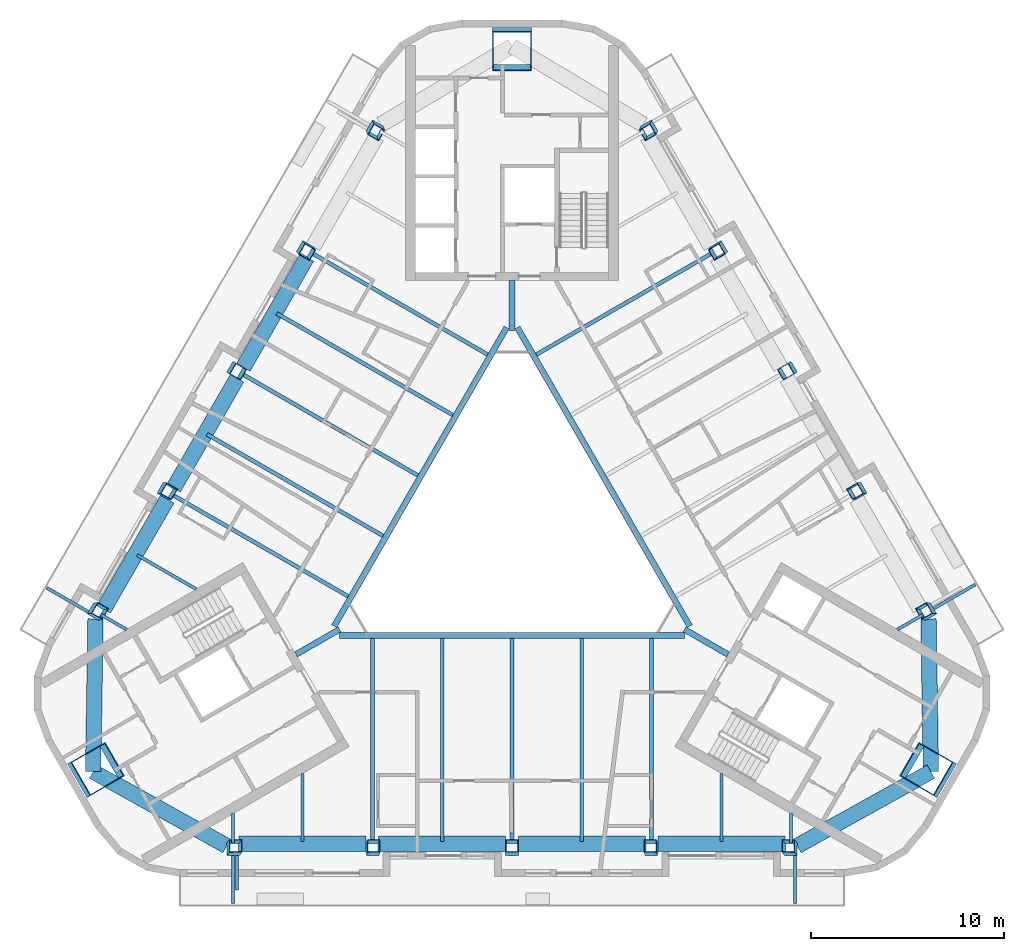
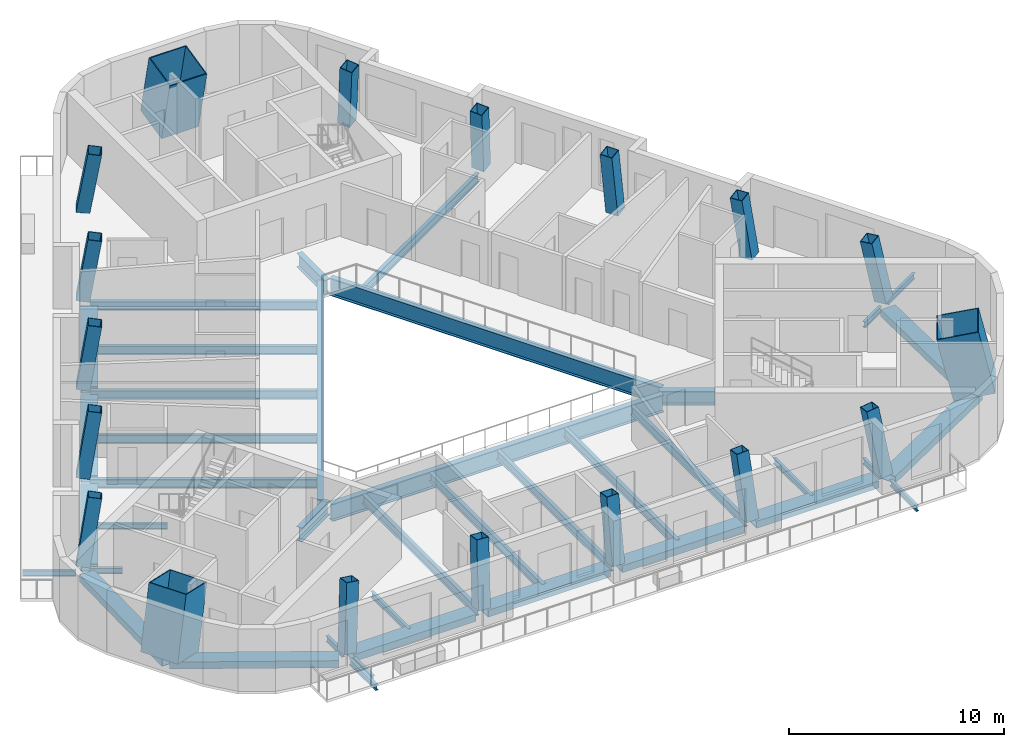
# One storey, part 1 of 13: 40 beams, 18 columns.
"""IFC4 building model written with IfcOpenShell, lengths in metres."""

from ifc_helpers import new_model, si_unit, direction, frame, origin, origin_2d, place, context, subcontext, project, spatial, rectangle, hollow_rectangle, i_section, extrude, boolean, halfspace, material, material_profile, profile_set, type_object, element, save


model = new_model("IFC4")

# Units and contexts
model_context = context("Model", 3, precision=1e-05, world=origin(), true_north=direction((0.0, 1.0)))
body_context = subcontext(model_context, "Body", "Model", "MODEL_VIEW")
ifc_project = project(units=[si_unit("LENGTHUNIT", "METRE"), si_unit("AREAUNIT", "SQUARE_METRE"), si_unit("VOLUMEUNIT", "CUBIC_METRE"), si_unit("PLANEANGLEUNIT", "RADIAN"), si_unit("MASSUNIT", "GRAM", prefix="KILO")], contexts=[model_context])

# Site, building, storey
site_placement = place(None, origin())
site = spatial("IfcSite", under=ifc_project, at=site_placement, CompositionType="ELEMENT")
building_placement = place(site_placement, origin())
building = spatial("IfcBuilding", under=site, at=building_placement, Name="Apuvela Tower Hotel", CompositionType="ELEMENT")
storey_placement = place(building_placement, frame((0.0, 0.0, 287.39990234375)))
storey = spatial("IfcBuildingStorey", under=building, at=storey_placement, Name="L71", CompositionType="ELEMENT", Elevation=287.39990234375)

# Columns
ifc_material_1 = material(Name="Steel S460", Category="steel")
ifc_material_profile_1 = material_profile(ifc_material_1, hollow_rectangle(XDim=2.0, YDim=2.0, WallThickness=0.050048828125, at=origin_2d()), Name="BOX 2000x2000x50")
ifc_material_2 = material(Name="Concrete C80/95", Category="concrete")
ifc_material_profile_2 = material_profile(ifc_material_2, rectangle(XDim=1.89990234375, YDim=1.89990234375, at=origin_2d()), Name="Concrete C80/95 infill")
ifc_profile_set_1 = profile_set([ifc_material_profile_1, ifc_material_profile_2], Name="Steel S460")
column_type_1 = type_object("IfcColumnType", Name="STR-MC mega column BOX 2000x2000x50", PredefinedType="COLUMN", material=ifc_profile_set_1)
for number, where, z_axis, x_axis, name in (
    (1, (0.0, 25.0087890625, 0.0), (0.0, -0.219812384115, 0.97554216505), (1.0, 0.0, 0.0), "Mega column MC4 N"),
    (2, (-21.658203125, -12.50439453125, 0.0), (0.19033286006, 0.109938628672, 0.975544412268), (-0.500170259217, 0.865927082262, 0.0), "Mega column MC4 SW"),
    (3, (21.658203125, -12.50439453125, 0.0), (-0.19033286006, 0.109938628672, 0.975544412268), (0.500170259217, 0.865927082262, 0.0), "Mega column MC4 SE"),
):
    element("IfcColumn", number, at=place(storey_placement, frame(where, z_axis=z_axis, x_axis=x_axis)), inside=storey, type_object=column_type_1, Name=name, PredefinedType="COLUMN", context=body_context, shape_type="SweptSolid", body=[
        boolean("DIFFERENCE", boolean("DIFFERENCE", extrude(hollow_rectangle(XDim=2.0, YDim=2.0, WallThickness=0.050048828125, at=origin_2d()), origin(), (0.0, 0.0, 1.0), 3.79296875), halfspace(frame((0.0, 0.0, 0.11328125), z_axis=(0.0, 0.0, 1.0), x_axis=(1.0, 0.0, 0.0)), True)), halfspace(frame((0.0, 0.0, 3.6796875), z_axis=(0.0, 0.0, 1.0), x_axis=(1.0, 0.0, 0.0)), False)),
    ])
ifc_material_profile_3 = material_profile(ifc_material_1, hollow_rectangle(XDim=0.64990234375, YDim=0.64990234375, WallThickness=0.030029296875, at=origin_2d()), Name="BOX 650x650x30")
ifc_material_profile_4 = material_profile(ifc_material_2, rectangle(XDim=0.590087890625, YDim=0.590087890625, at=origin_2d()), Name="Concrete C80/95 infill")
ifc_profile_set_2 = profile_set([ifc_material_profile_3, ifc_material_profile_4], Name="Steel S460")
column_type_2 = type_object("IfcColumnType", Name="STR-PC perimeter column BOX 650x650x30", PredefinedType="COLUMN", material=ifc_profile_set_2)
column_1_placement = place(storey_placement, frame((-14.4306640625, -16.52880859375, 0.0), z_axis=(0.121062211455, 0.150389046636, 0.981186565139), x_axis=(-0.992602517882, 0.00920416117, 0.121060005413)))
element("IfcColumn", 4, at=column_1_placement, inside=storey, type_object=column_type_2, Name="Perimeter column C6 S1", PredefinedType="COLUMN", context=body_context, shape_type="SweptSolid", body=[
    boolean("DIFFERENCE", boolean("DIFFERENCE", extrude(hollow_rectangle(XDim=0.64990234375, YDim=0.64990234375, WallThickness=0.030029296875, at=origin_2d()), origin(), (0.0, 0.0, 1.0), 3.771240234375), halfspace(frame((0.0, 0.0, 0.046875), z_axis=(0.0, 0.0, 1.0), x_axis=(1.0, 0.0, 0.0)), True)), halfspace(frame((0.0, 0.0, 3.724365234375), z_axis=(0.0, 0.0, 1.0), x_axis=(1.0, 0.0, 0.0)), False)),
])
column_2_placement = place(storey_placement, frame((-7.21533203125, -16.52880859375, 0.0), z_axis=(0.060866554019, 0.151222465225, 0.986624056373), x_axis=(-0.998135530126, 0.004712991743, 0.06085434421)))
element("IfcColumn", 5, at=column_2_placement, inside=storey, type_object=column_type_2, Name="Perimeter column C6 S2", PredefinedType="COLUMN", context=body_context, shape_type="SweptSolid", body=[
    boolean("DIFFERENCE", boolean("DIFFERENCE", extrude(hollow_rectangle(XDim=0.64990234375, YDim=0.64990234375, WallThickness=0.030029296875, at=origin_2d()), origin(), (0.0, 0.0, 1.0), 3.750244140625), halfspace(frame((0.0, 0.0, 0.039794921875), z_axis=(0.0, 0.0, 1.0), x_axis=(1.0, 0.0, 0.0)), True)), halfspace(frame((0.0, 0.0, 3.710693359375), z_axis=(0.0, 0.0, 1.0), x_axis=(1.0, 0.0, 0.0)), False)),
])
column_3_placement = place(storey_placement, frame((0.0, -16.52880859375, 0.0), z_axis=(0.0, 0.151503365725, 0.988456741681), x_axis=(-1.0, 0.0, 0.0)))
element("IfcColumn", 6, at=column_3_placement, inside=storey, type_object=column_type_2, Name="Perimeter column C6 S3", PredefinedType="COLUMN", context=body_context, shape_type="SweptSolid", body=[
    boolean("DIFFERENCE", boolean("DIFFERENCE", extrude(hollow_rectangle(XDim=0.64990234375, YDim=0.64990234375, WallThickness=0.030029296875, at=origin_2d()), origin(), (0.0, 0.0, 1.0), 3.743408203125), halfspace(frame((0.0, 0.0, 0.037109375), z_axis=(0.0, 0.0, 1.0), x_axis=(1.0, 0.0, 0.0)), True)), halfspace(frame((0.0, 0.0, 3.706298828125), z_axis=(0.0, 0.0, 1.0), x_axis=(1.0, 0.0, 0.0)), False)),
])
column_4_placement = place(storey_placement, frame((7.21533203125, -16.52880859375, 0.0), z_axis=(-0.060866554019, 0.151222465225, 0.986624056373), x_axis=(0.998135530126, 0.004712991743, 0.06085434421)))
element("IfcColumn", 7, at=column_4_placement, inside=storey, type_object=column_type_2, Name="Perimeter column C6 S4", PredefinedType="COLUMN", context=body_context, shape_type="SweptSolid", body=[
    boolean("DIFFERENCE", boolean("DIFFERENCE", extrude(hollow_rectangle(XDim=0.64990234375, YDim=0.64990234375, WallThickness=0.030029296875, at=origin_2d()), origin(), (0.0, 0.0, 1.0), 3.750244140625), halfspace(frame((0.0, 0.0, 0.039794921875), z_axis=(0.0, 0.0, 1.0), x_axis=(1.0, 0.0, 0.0)), True)), halfspace(frame((0.0, 0.0, 3.710693359375), z_axis=(0.0, 0.0, 1.0), x_axis=(1.0, 0.0, 0.0)), False)),
])
column_5_placement = place(storey_placement, frame((14.4306640625, -16.52880859375, 0.0), z_axis=(-0.121062211455, 0.150389046636, 0.981186565139), x_axis=(0.992602517882, 0.00920416117, 0.121060005413)))
element("IfcColumn", 8, at=column_5_placement, inside=storey, type_object=column_type_2, Name="Perimeter column C6 S5", PredefinedType="COLUMN", context=body_context, shape_type="SweptSolid", body=[
    boolean("DIFFERENCE", boolean("DIFFERENCE", extrude(hollow_rectangle(XDim=0.64990234375, YDim=0.64990234375, WallThickness=0.030029296875, at=origin_2d()), origin(), (0.0, 0.0, 1.0), 3.771240234375), halfspace(frame((0.0, 0.0, 0.046875), z_axis=(0.0, 0.0, 1.0), x_axis=(1.0, 0.0, 0.0)), True)), halfspace(frame((0.0, 0.0, 3.724365234375), z_axis=(0.0, 0.0, 1.0), x_axis=(1.0, 0.0, 0.0)), False)),
])
column_6_placement = place(storey_placement, frame((21.529541015625, -4.23291015625, 0.0), z_axis=(-0.190723355538, 0.02965081359, 0.981195918716), x_axis=(0.48832184533, -0.864229250401, 0.121035441609)))
element("IfcColumn", 9, at=column_6_placement, inside=storey, type_object=column_type_2, Name="Perimeter column C6 NE1", PredefinedType="COLUMN", context=body_context, shape_type="SweptSolid", body=[
    boolean("DIFFERENCE", boolean("DIFFERENCE", extrude(hollow_rectangle(XDim=0.64990234375, YDim=0.64990234375, WallThickness=0.030029296875, at=origin_2d()), origin(), (0.0, 0.0, 1.0), 3.77099609375), halfspace(frame((0.0, 0.0, 0.046875), z_axis=(0.0, 0.0, 1.0), x_axis=(1.0, 0.0, 0.0)), True)), halfspace(frame((0.0, 0.0, 3.724365234375), z_axis=(0.0, 0.0, 1.0), x_axis=(1.0, 0.0, 0.0)), False)),
])
column_7_placement = place(storey_placement, frame((17.922119140625, 2.015625, 0.0), z_axis=(-0.161441555696, -0.022914285325, 0.986616216987), x_axis=(0.49507293815, -0.866715878813, 0.060879974747)))
element("IfcColumn", 10, at=column_7_placement, inside=storey, type_object=column_type_2, Name="Perimeter column C6 NE2", PredefinedType="COLUMN", context=body_context, shape_type="SweptSolid", body=[
    boolean("DIFFERENCE", boolean("DIFFERENCE", extrude(hollow_rectangle(XDim=0.64990234375, YDim=0.64990234375, WallThickness=0.030029296875, at=origin_2d()), origin(), (0.0, 0.0, 1.0), 3.75048828125), halfspace(frame((0.0, 0.0, 0.039794921875), z_axis=(0.0, 0.0, 1.0), x_axis=(1.0, 0.0, 0.0)), True)), halfspace(frame((0.0, 0.0, 3.710693359375), z_axis=(0.0, 0.0, 1.0), x_axis=(1.0, 0.0, 0.0)), False)),
])
column_8_placement = place(storey_placement, frame((14.314208984375, 8.264404296875, 0.0), z_axis=(-0.13115563542, -0.07578460883, 0.988460870425), x_axis=(-0.500216662803, 0.86590027717, 1.5862574e-05)))
element("IfcColumn", 11, at=column_8_placement, inside=storey, type_object=column_type_2, Name="Perimeter column C6 NE3", PredefinedType="COLUMN", context=body_context, shape_type="SweptSolid", body=[
    boolean("DIFFERENCE", boolean("DIFFERENCE", extrude(hollow_rectangle(XDim=0.64990234375, YDim=0.64990234375, WallThickness=0.030029296875, at=origin_2d()), origin(), (0.0, 0.0, 1.0), 3.743408203125), halfspace(frame((0.0, 0.0, 0.037109375), z_axis=(0.0, 0.0, 1.0), x_axis=(1.0, 0.0, 0.0)), True)), halfspace(frame((0.0, 0.0, 3.706298828125), z_axis=(0.0, 0.0, 1.0), x_axis=(1.0, 0.0, 0.0)), False)),
])
column_9_placement = place(storey_placement, frame((10.70654296875, 14.512939453125, 0.0), z_axis=(-0.100511564979, -0.128308480942, 0.986627771261), x_axis=(-0.503128985572, 0.862066140583, 0.060853867073)))
element("IfcColumn", 12, at=column_9_placement, inside=storey, type_object=column_type_2, Name="Perimeter column C6 NE4", PredefinedType="COLUMN", context=body_context, shape_type="SweptSolid", body=[
    boolean("DIFFERENCE", boolean("DIFFERENCE", extrude(hollow_rectangle(XDim=0.64990234375, YDim=0.64990234375, WallThickness=0.030029296875, at=origin_2d()), origin(), (0.0, 0.0, 1.0), 3.750244140625), halfspace(frame((0.0, 0.0, 0.039794921875), z_axis=(0.0, 0.0, 1.0), x_axis=(1.0, 0.0, 0.0)), True)), halfspace(frame((0.0, 0.0, 3.710693359375), z_axis=(0.0, 0.0, 1.0), x_axis=(1.0, 0.0, 0.0)), False)),
])
for number, where, z_axis, x_axis, name in (
    (13, (7.09912109375, 20.76171875, 0.0), (-0.069724781061, -0.17997668649, 0.981196640448), (-0.504170276758, 0.855083108193, 0.121017395929), "Perimeter column C6 NE5"),
    (14, (-7.09912109375, 20.76171875, 0.0), (0.069724781061, -0.17997668649, 0.981196640448), (0.504170276758, 0.855083108193, 0.121017395929), "Perimeter column C6 NW1"),
):
    element("IfcColumn", number, at=place(storey_placement, frame(where, z_axis=z_axis, x_axis=x_axis)), inside=storey, type_object=column_type_2, Name=name, PredefinedType="COLUMN", context=body_context, shape_type="SweptSolid", body=[
        boolean("DIFFERENCE", boolean("DIFFERENCE", extrude(hollow_rectangle(XDim=0.64990234375, YDim=0.64990234375, WallThickness=0.030029296875, at=origin_2d()), origin(), (0.0, 0.0, 1.0), 3.77099609375), halfspace(frame((0.0, 0.0, 0.046875), z_axis=(0.0, 0.0, 1.0), x_axis=(1.0, 0.0, 0.0)), True)), halfspace(frame((0.0, 0.0, 3.724365234375), z_axis=(0.0, 0.0, 1.0), x_axis=(1.0, 0.0, 0.0)), False)),
    ])
column_10_placement = place(storey_placement, frame((-10.70654296875, 14.512939453125, 0.0), z_axis=(0.100511564979, -0.128308480942, 0.986627771261), x_axis=(0.503128985572, 0.862066140583, 0.060853867073)))
element("IfcColumn", 15, at=column_10_placement, inside=storey, type_object=column_type_2, Name="Perimeter column C6 NW2", PredefinedType="COLUMN", context=body_context, shape_type="SweptSolid", body=[
    boolean("DIFFERENCE", boolean("DIFFERENCE", extrude(hollow_rectangle(XDim=0.64990234375, YDim=0.64990234375, WallThickness=0.030029296875, at=origin_2d()), origin(), (0.0, 0.0, 1.0), 3.750244140625), halfspace(frame((0.0, 0.0, 0.039794921875), z_axis=(0.0, 0.0, 1.0), x_axis=(1.0, 0.0, 0.0)), True)), halfspace(frame((0.0, 0.0, 3.710693359375), z_axis=(0.0, 0.0, 1.0), x_axis=(1.0, 0.0, 0.0)), False)),
])
column_11_placement = place(storey_placement, frame((-14.314208984375, 8.264404296875, 0.0), z_axis=(0.13115563542, -0.07578460883, 0.988460870425), x_axis=(0.500216662803, 0.86590027717, 1.5862574e-05)))
element("IfcColumn", 16, at=column_11_placement, inside=storey, type_object=column_type_2, Name="Perimeter column C6 NW3", PredefinedType="COLUMN", context=body_context, shape_type="SweptSolid", body=[
    boolean("DIFFERENCE", boolean("DIFFERENCE", extrude(hollow_rectangle(XDim=0.64990234375, YDim=0.64990234375, WallThickness=0.030029296875, at=origin_2d()), origin(), (0.0, 0.0, 1.0), 3.743408203125), halfspace(frame((0.0, 0.0, 0.037109375), z_axis=(0.0, 0.0, 1.0), x_axis=(1.0, 0.0, 0.0)), True)), halfspace(frame((0.0, 0.0, 3.706298828125), z_axis=(0.0, 0.0, 1.0), x_axis=(1.0, 0.0, 0.0)), False)),
])
column_12_placement = place(storey_placement, frame((-17.922119140625, 2.015625, 0.0), z_axis=(0.161441555696, -0.022914285325, 0.986616216987), x_axis=(-0.49507293815, -0.866715878813, 0.060879974747)))
element("IfcColumn", 17, at=column_12_placement, inside=storey, type_object=column_type_2, Name="Perimeter column C6 NW4", PredefinedType="COLUMN", context=body_context, shape_type="SweptSolid", body=[
    boolean("DIFFERENCE", boolean("DIFFERENCE", extrude(hollow_rectangle(XDim=0.64990234375, YDim=0.64990234375, WallThickness=0.030029296875, at=origin_2d()), origin(), (0.0, 0.0, 1.0), 3.75048828125), halfspace(frame((0.0, 0.0, 0.039794921875), z_axis=(0.0, 0.0, 1.0), x_axis=(1.0, 0.0, 0.0)), True)), halfspace(frame((0.0, 0.0, 3.710693359375), z_axis=(0.0, 0.0, 1.0), x_axis=(1.0, 0.0, 0.0)), False)),
])
column_13_placement = place(storey_placement, frame((-21.529541015625, -4.23291015625, 0.0), z_axis=(0.190723355538, 0.02965081359, 0.981195918716), x_axis=(-0.48832184533, -0.864229250401, 0.121035441609)))
element("IfcColumn", 18, at=column_13_placement, inside=storey, type_object=column_type_2, Name="Perimeter column C6 NW5", PredefinedType="COLUMN", context=body_context, shape_type="SweptSolid", body=[
    boolean("DIFFERENCE", boolean("DIFFERENCE", extrude(hollow_rectangle(XDim=0.64990234375, YDim=0.64990234375, WallThickness=0.030029296875, at=origin_2d()), origin(), (0.0, 0.0, 1.0), 3.77099609375), halfspace(frame((0.0, 0.0, 0.046875), z_axis=(0.0, 0.0, 1.0), x_axis=(1.0, 0.0, 0.0)), True)), halfspace(frame((0.0, 0.0, 3.724365234375), z_axis=(0.0, 0.0, 1.0), x_axis=(1.0, 0.0, 0.0)), False)),
])

# Beams
ifc_material_3 = material(Name="Steel S355", Category="steel")
ifc_material_profile_5 = material_profile(ifc_material_3, i_section(OverallWidth=0.159912109375, OverallDepth=0.330078125, WebThickness=0.007568359375, FlangeThickness=0.011474609375, at=origin_2d()), Name="IPE 330")
ifc_profile_set_3 = profile_set([ifc_material_profile_5], Name="Steel S355")
beam_type_1 = type_object("IfcBeamType", Name="ENV-BALCONY-BEAM-IPE330", PredefinedType="BEAM", material=ifc_profile_set_3)
beam_1_placement = place(storey_placement, frame((-14.4306640625, -16.853759765625, -0.31494140625), z_axis=(0.0, -1.0, 0.0), x_axis=(1.0, 0.0, 0.0)))
element("IfcBeam", 19, at=beam_1_placement, inside=storey, type_object=beam_type_1, Name="Balcony cantilever beam S1 L71", PredefinedType="BEAM", context=body_context, shape_type="SweptSolid", body=[
    extrude(i_section(OverallWidth=0.159912109375, OverallDepth=0.330078125, WebThickness=0.007568359375, FlangeThickness=0.011474609375, at=origin_2d()), origin(), (0.0, 0.0, 1.0), 2.474853515625),
])
beam_2_placement = place(storey_placement, frame((-14.210693359375, -16.853759765625, -0.31494140625), z_axis=(0.0, -1.0, 0.0), x_axis=(1.0, 0.0, 0.0)))
element("IfcBeam", 20, at=beam_2_placement, inside=storey, type_object=beam_type_1, Name="Balcony cantilever beam S2 L71", PredefinedType="BEAM", context=body_context, shape_type="SweptSolid", body=[
    extrude(i_section(OverallWidth=0.159912109375, OverallDepth=0.330078125, WebThickness=0.007568359375, FlangeThickness=0.011474609375, at=origin_2d()), origin(), (0.0, 0.0, 1.0), 1.77490234375),
])
beam_3_placement = place(storey_placement, frame((14.630615234375, -16.853759765625, -0.31494140625), z_axis=(0.0, -1.0, 0.0), x_axis=(1.0, 0.0, 0.0)))
element("IfcBeam", 21, at=beam_3_placement, inside=storey, type_object=beam_type_1, Name="Balcony cantilever beam S3 L71", PredefinedType="BEAM", context=body_context, shape_type="SweptSolid", body=[
    extrude(i_section(OverallWidth=0.159912109375, OverallDepth=0.330078125, WebThickness=0.007568359375, FlangeThickness=0.011474609375, at=origin_2d()), origin(), (0.0, 0.0, 1.0), 2.474853515625),
])
beam_4_placement = place(storey_placement, frame((21.81103515625, -4.070556640625, -0.31494140625), z_axis=(0.866031185235, 0.4999899861, 0.0), x_axis=(-0.4999899861, 0.866031185235, 0.0)))
element("IfcBeam", 22, at=beam_4_placement, inside=storey, type_object=beam_type_1, Name="Balcony cantilever beam NE1 L71", PredefinedType="BEAM", context=body_context, shape_type="SweptSolid", body=[
    extrude(i_section(OverallWidth=0.159912109375, OverallDepth=0.330078125, WebThickness=0.007568359375, FlangeThickness=0.011474609375, at=origin_2d()), origin(), (0.0, 0.0, 1.0), 2.47509765625),
])
beam_5_placement = place(storey_placement, frame((-21.9111328125, -4.24365234375, -0.31494140625), z_axis=(-0.866006523861, 0.500032699561, 0.0), x_axis=(-0.500032699561, -0.866006523861, 0.0)))
element("IfcBeam", 23, at=beam_5_placement, inside=storey, type_object=beam_type_1, Name="Balcony cantilever beam NW3 L71", PredefinedType="BEAM", context=body_context, shape_type="SweptSolid", body=[
    extrude(i_section(OverallWidth=0.159912109375, OverallDepth=0.330078125, WebThickness=0.007568359375, FlangeThickness=0.011474609375, at=origin_2d()), origin(), (0.0, 0.0, 1.0), 2.474853515625),
])
ifc_material_profile_6 = material_profile(ifc_material_3, i_section(OverallWidth=0.159912109375, OverallDepth=0.330078125, WebThickness=0.007568359375, FlangeThickness=0.011474609375, at=origin_2d()), Name="IPE 330")
ifc_profile_set_4 = profile_set([ifc_material_profile_6], Name="Steel S355")
beam_type_2 = type_object("IfcBeamType", Name="STR-B floor beam IPE 330", PredefinedType="BEAM", material=ifc_profile_set_4)
beam_6_placement = place(storey_placement, frame((21.248291015625, -4.3955078125, -0.31494140625), z_axis=(-0.866092063448, -0.499884524299, 0.0), x_axis=(0.499884524299, -0.866092063448, 0.0)))
element("IfcBeam", 24, at=beam_6_placement, inside=storey, type_object=beam_type_2, Name="Floor beam B1 NE1", PredefinedType="BEAM", context=body_context, shape_type="SweptSolid", body=[
    extrude(i_section(OverallWidth=0.159912109375, OverallDepth=0.330078125, WebThickness=0.007568359375, FlangeThickness=0.011474609375, at=origin_2d()), origin(), (0.0, 0.0, 1.0), 1.521240234375),
])
beam_7_placement = place(storey_placement, frame((-19.37939453125, -1.30859375, -0.31494140625), z_axis=(0.866020851292, -0.500007885066, 0.0), x_axis=(0.500007885066, 0.866020851292, 0.0)))
element("IfcBeam", 25, at=beam_7_placement, inside=storey, type_object=beam_type_2, Name="Floor beam B1 NW8", PredefinedType="BEAM", context=body_context, shape_type="SweptSolid", body=[
    extrude(i_section(OverallWidth=0.159912109375, OverallDepth=0.330078125, WebThickness=0.007568359375, FlangeThickness=0.011474609375, at=origin_2d()), origin(), (0.0, 0.0, 1.0), 3.529296875),
])
for number, where, z_axis, x_axis, name in (
    (26, (-21.248291015625, -4.3955078125, -0.31494140625), (0.866092063448, -0.499884524299, 0.0), (0.499884524299, 0.866092063448, 0.0), "Floor beam B1 NW9"),
    (27, (-14.4306640625, -16.20361328125, -0.31494140625), (0.0, 1.0, 0.0), (-1.0, 0.0, 0.0), "Floor beam B1 S1"),
):
    element("IfcBeam", number, at=place(storey_placement, frame(where, z_axis=z_axis, x_axis=x_axis)), inside=storey, type_object=beam_type_2, Name=name, PredefinedType="BEAM", context=body_context, shape_type="SweptSolid", body=[
        extrude(i_section(OverallWidth=0.159912109375, OverallDepth=0.330078125, WebThickness=0.007568359375, FlangeThickness=0.011474609375, at=origin_2d()), origin(), (0.0, 0.0, 1.0), 1.521240234375),
    ])
for number, where, z_axis, x_axis, name in (
    (28, (-10.822998046875, -16.128662109375, -0.31494140625), (0.0, 1.0, 0.0), (-1.0, 0.0, 0.0), "Floor beam B1 S2"),
    (29, (10.822998046875, -16.128662109375, -0.31494140625), (0.0, 1.0, 0.0), (-1.0, 0.0, 0.0), "Floor beam B1 S8"),
):
    element("IfcBeam", number, at=place(storey_placement, frame(where, z_axis=z_axis, x_axis=x_axis)), inside=storey, type_object=beam_type_2, Name=name, PredefinedType="BEAM", context=body_context, shape_type="SweptSolid", body=[
        extrude(i_section(OverallWidth=0.159912109375, OverallDepth=0.330078125, WebThickness=0.007568359375, FlangeThickness=0.011474609375, at=origin_2d()), origin(), (0.0, 0.0, 1.0), 3.529052734375),
    ])
beam_8_placement = place(storey_placement, frame((14.4306640625, -16.20361328125, -0.31494140625), z_axis=(0.0, 1.0, 0.0), x_axis=(-1.0, 0.0, 0.0)))
element("IfcBeam", 30, at=beam_8_placement, inside=storey, type_object=beam_type_2, Name="Floor beam B1 S9", PredefinedType="BEAM", context=body_context, shape_type="SweptSolid", body=[
    extrude(i_section(OverallWidth=0.159912109375, OverallDepth=0.330078125, WebThickness=0.007568359375, FlangeThickness=0.011474609375, at=origin_2d()), origin(), (0.0, 0.0, 1.0), 1.521240234375),
])
ifc_material_profile_7 = material_profile(ifc_material_3, i_section(OverallWidth=0.199951171875, OverallDepth=0.5, WebThickness=0.01025390625, FlangeThickness=0.01611328125, at=origin_2d()), Name="IPE 500")
ifc_profile_set_5 = profile_set([ifc_material_profile_7], Name="Steel S355")
beam_type_3 = type_object("IfcBeamType", Name="STR-B floor beam IPE 500", PredefinedType="BEAM", material=ifc_profile_set_5)
for number, where, z_axis, x_axis, name in (
    (31, (10.42529296875, 14.3505859375, -0.39990234375), (-0.866020021501, -0.500009322272, 0.0), (0.500009322272, -0.866020021501, 0.0), "Floor beam B3 NE7"),
    (32, (-10.42529296875, 14.3505859375, -0.39990234375), (0.866020021501, -0.500009322272, 0.0), (0.500009322272, 0.866020021501, 0.0), "Floor beam B3 NW3"),
):
    element("IfcBeam", number, at=place(storey_placement, frame(where, z_axis=z_axis, x_axis=x_axis)), inside=storey, type_object=beam_type_3, Name=name, PredefinedType="BEAM", context=body_context, shape_type="SweptSolid", body=[
        extrude(i_section(OverallWidth=0.199951171875, OverallDepth=0.5, WebThickness=0.01025390625, FlangeThickness=0.01611328125, at=origin_2d()), origin(), (0.0, 0.0, 1.0), 10.583740234375),
    ])
beam_9_placement = place(storey_placement, frame((-12.1640625, 11.188720703125, -0.39990234375), z_axis=(0.866024256809, -0.500001986615, 0.0), x_axis=(0.500001986615, 0.866024256809, 0.0)))
element("IfcBeam", 33, at=beam_9_placement, inside=storey, type_object=beam_type_3, Name="Floor beam B3 NW4", PredefinedType="BEAM", context=body_context, shape_type="SweptSolid", body=[
    extrude(i_section(OverallWidth=0.199951171875, OverallDepth=0.5, WebThickness=0.01025390625, FlangeThickness=0.01611328125, at=origin_2d()), origin(), (0.0, 0.0, 1.0), 10.5087890625),
])
beam_10_placement = place(storey_placement, frame((-14.03271484375, 8.101806640625, -0.39990234375), z_axis=(0.866024243143, -0.500002010285, 0.0), x_axis=(0.500002010285, 0.866024243143, 0.0)))
element("IfcBeam", 34, at=beam_10_placement, inside=storey, type_object=beam_type_3, Name="Floor beam B3 NW5", PredefinedType="BEAM", context=body_context, shape_type="SweptSolid", body=[
    extrude(i_section(OverallWidth=0.199951171875, OverallDepth=0.5, WebThickness=0.01025390625, FlangeThickness=0.01611328125, at=origin_2d()), origin(), (0.0, 0.0, 1.0), 10.58349609375),
])
beam_11_placement = place(storey_placement, frame((-15.771728515625, 4.93994140625, -0.39990234375), z_axis=(0.866034316586, -0.499984562257, 0.0), x_axis=(0.499984562257, 0.866034316586, 0.0)))
element("IfcBeam", 35, at=beam_11_placement, inside=storey, type_object=beam_type_3, Name="Floor beam B3 NW6", PredefinedType="BEAM", context=body_context, shape_type="SweptSolid", body=[
    extrude(i_section(OverallWidth=0.199951171875, OverallDepth=0.5, WebThickness=0.01025390625, FlangeThickness=0.01611328125, at=origin_2d()), origin(), (0.0, 0.0, 1.0), 10.508544921875),
])
beam_12_placement = place(storey_placement, frame((-17.640380859375, 1.853271484375, -0.39990234375), z_axis=(0.866020021501, -0.500009322272, 0.0), x_axis=(0.500009322272, 0.866020021501, 0.0)))
element("IfcBeam", 36, at=beam_12_placement, inside=storey, type_object=beam_type_3, Name="Floor beam B3 NW7", PredefinedType="BEAM", context=body_context, shape_type="SweptSolid", body=[
    extrude(i_section(OverallWidth=0.199951171875, OverallDepth=0.5, WebThickness=0.01025390625, FlangeThickness=0.01611328125, at=origin_2d()), origin(), (0.0, 0.0, 1.0), 10.583740234375),
])
beam_13_placement = place(storey_placement, frame((-7.21533203125, -16.20361328125, -0.39990234375), z_axis=(0.0, 1.0, 0.0), x_axis=(-1.0, 0.0, 0.0)))
element("IfcBeam", 37, at=beam_13_placement, inside=storey, type_object=beam_type_3, Name="Floor beam B3 S3", PredefinedType="BEAM", context=body_context, shape_type="SweptSolid", body=[
    extrude(i_section(OverallWidth=0.199951171875, OverallDepth=0.5, WebThickness=0.01025390625, FlangeThickness=0.01611328125, at=origin_2d()), origin(), (0.0, 0.0, 1.0), 10.58349609375),
])
beam_14_placement = place(storey_placement, frame((-3.607666015625, -16.128662109375, -0.39990234375), z_axis=(0.0, 1.0, 0.0), x_axis=(-1.0, 0.0, 0.0)))
element("IfcBeam", 38, at=beam_14_placement, inside=storey, type_object=beam_type_3, Name="Floor beam B3 S4", PredefinedType="BEAM", context=body_context, shape_type="SweptSolid", body=[
    extrude(i_section(OverallWidth=0.199951171875, OverallDepth=0.5, WebThickness=0.01025390625, FlangeThickness=0.01611328125, at=origin_2d()), origin(), (0.0, 0.0, 1.0), 10.508544921875),
])
beam_15_placement = place(storey_placement, frame((0.0, -16.20361328125, -0.39990234375), z_axis=(0.0, 1.0, 0.0), x_axis=(-1.0, 0.0, 0.0)))
element("IfcBeam", 39, at=beam_15_placement, inside=storey, type_object=beam_type_3, Name="Floor beam B3 S5", PredefinedType="BEAM", context=body_context, shape_type="SweptSolid", body=[
    extrude(i_section(OverallWidth=0.199951171875, OverallDepth=0.5, WebThickness=0.01025390625, FlangeThickness=0.01611328125, at=origin_2d()), origin(), (0.0, 0.0, 1.0), 10.58349609375),
])
beam_16_placement = place(storey_placement, frame((3.607666015625, -16.128662109375, -0.39990234375), z_axis=(0.0, 1.0, 0.0), x_axis=(-1.0, 0.0, 0.0)))
element("IfcBeam", 40, at=beam_16_placement, inside=storey, type_object=beam_type_3, Name="Floor beam B3 S6", PredefinedType="BEAM", context=body_context, shape_type="SweptSolid", body=[
    extrude(i_section(OverallWidth=0.199951171875, OverallDepth=0.5, WebThickness=0.01025390625, FlangeThickness=0.01611328125, at=origin_2d()), origin(), (0.0, 0.0, 1.0), 10.508544921875),
])
beam_17_placement = place(storey_placement, frame((7.21533203125, -16.20361328125, -0.39990234375), z_axis=(0.0, 1.0, 0.0), x_axis=(-1.0, 0.0, 0.0)))
element("IfcBeam", 41, at=beam_17_placement, inside=storey, type_object=beam_type_3, Name="Floor beam B3 S7", PredefinedType="BEAM", context=body_context, shape_type="SweptSolid", body=[
    extrude(i_section(OverallWidth=0.199951171875, OverallDepth=0.5, WebThickness=0.01025390625, FlangeThickness=0.01611328125, at=origin_2d()), origin(), (0.0, 0.0, 1.0), 10.58349609375),
])
ifc_material_profile_8 = material_profile(ifc_material_3, i_section(OverallWidth=0.300048828125, OverallDepth=0.989990234375, WebThickness=0.0166015625, FlangeThickness=0.031005859375, at=origin_2d()), Name="HE 1000 A")
ifc_profile_set_6 = profile_set([ifc_material_profile_8], Name="Steel S355")
beam_type_4 = type_object("IfcBeamType", Name="STR-G atrium ring girder HE 1000 A", PredefinedType="BEAM", material=ifc_profile_set_6)
beam_18_placement = place(storey_placement, frame((-0.27978515625, 10.455078125, -0.64501953125), z_axis=(-0.500006541319, -0.866021627119, 0.0), x_axis=(0.866021627119, -0.500006541319, 0.0)))
element("IfcBeam", 42, at=beam_18_placement, inside=storey, type_object=beam_type_4, Name="Atrium ring girder G3 N-SW", PredefinedType="BEAM", context=body_context, shape_type="SweptSolid", body=[
    extrude(i_section(OverallWidth=0.300048828125, OverallDepth=0.989990234375, WebThickness=0.0166015625, FlangeThickness=0.031005859375, at=origin_2d()), origin(), (0.0, 0.0, 1.0), 17.828857421875),
])
beam_19_placement = place(storey_placement, frame((-8.91455078125, -5.469970703125, -0.64501953125), z_axis=(1.0, 0.0, 0.0), x_axis=(0.0, 1.0, 0.0)))
element("IfcBeam", 43, at=beam_19_placement, inside=storey, type_object=beam_type_4, Name="Atrium ring girder G3 SW-SE", PredefinedType="BEAM", context=body_context, shape_type="SweptSolid", body=[
    extrude(i_section(OverallWidth=0.300048828125, OverallDepth=0.989990234375, WebThickness=0.0166015625, FlangeThickness=0.031005859375, at=origin_2d()), origin(), (0.0, 0.0, 1.0), 17.8291015625),
])
beam_20_placement = place(storey_placement, frame((9.1943359375, -4.985107421875, -0.64501953125), z_axis=(-0.500006541319, 0.866021627119, 0.0), x_axis=(-0.866021627119, -0.500006541319, 0.0)))
element("IfcBeam", 44, at=beam_20_placement, inside=storey, type_object=beam_type_4, Name="Atrium ring girder G3 SE-N", PredefinedType="BEAM", context=body_context, shape_type="SweptSolid", body=[
    extrude(i_section(OverallWidth=0.300048828125, OverallDepth=0.989990234375, WebThickness=0.0166015625, FlangeThickness=0.031005859375, at=origin_2d()), origin(), (0.0, 0.0, 1.0), 17.828857421875),
])
ifc_material_profile_9 = material_profile(ifc_material_3, i_section(OverallWidth=0.300048828125, OverallDepth=0.800048828125, WebThickness=0.017578125, FlangeThickness=0.032958984375, at=origin_2d()), Name="HE 800 B")
ifc_profile_set_7 = profile_set([ifc_material_profile_9], Name="Steel S355")
beam_type_5 = type_object("IfcBeamType", Name="STR-GT core tie beam HE 800 B", PredefinedType="BEAM", material=ifc_profile_set_7)
for number, where, z_axis, x_axis, name in (
    (45, (0.0, 12.89990234375, -0.5498046875), (0.0, -1.0, 0.0), (1.0, 0.0, 0.0), "Core tie beam GT1 N"),
    (46, (-11.171630859375, -6.449951171875, -0.5498046875), (0.865997922154, 0.500047596559, 0.0), (-0.500047596559, 0.865997922154, 0.0), "Core tie beam GT1 SW"),
    (47, (11.171630859375, -6.449951171875, -0.5498046875), (-0.865997922154, 0.500047596559, 0.0), (-0.500047596559, -0.865997922154, 0.0), "Core tie beam GT1 SE"),
):
    element("IfcBeam", number, at=place(storey_placement, frame(where, z_axis=z_axis, x_axis=x_axis)), inside=storey, type_object=beam_type_5, Name=name, PredefinedType="BEAM", context=body_context, shape_type="SweptSolid", body=[
        extrude(i_section(OverallWidth=0.300048828125, OverallDepth=0.800048828125, WebThickness=0.017578125, FlangeThickness=0.032958984375, at=origin_2d()), origin(), (0.0, 0.0, 1.0), 2.599853515625),
    ])
ifc_material_profile_10 = material_profile(ifc_material_1, hollow_rectangle(XDim=0.800048828125, YDim=0.39990234375, WallThickness=0.02490234375, at=origin_2d()), Name="BOX 800x400x25")
ifc_profile_set_8 = profile_set([ifc_material_profile_10], Name="Steel S460")
beam_type_6 = type_object("IfcBeamType", Name="STR-RB perimeter ring beam BOX 800x400x25", PredefinedType="SPANDREL", material=ifc_profile_set_8)
for number, where, z_axis, x_axis, name in (
    (48, (-14.105712890625, -16.228759765625, -0.39990234375), (1.0, 0.0, 0.0), (0.0, 1.0, 0.0), "Ring beam RB1 S1"),
    (49, (-6.890380859375, -16.228759765625, -0.39990234375), (1.0, 0.0, 0.0), (0.0, 1.0, 0.0), "Ring beam RB1 S2"),
    (50, (0.324951171875, -16.228759765625, -0.39990234375), (1.0, 0.0, 0.0), (0.0, 1.0, 0.0), "Ring beam RB1 S3"),
    (51, (7.540283203125, -16.228759765625, -0.39990234375), (1.0, 0.0, 0.0), (0.0, 1.0, 0.0), "Ring beam RB1 S4"),
    (52, (-10.609375, 14.08154296875, -0.39990234375), (-0.500002498361, -0.86602396135, 0.0), (0.86602396135, -0.500002498361, 0.0), "Ring beam RB1 NW2"),
    (53, (-14.217041015625, 7.8330078125, -0.39990234375), (-0.500002498361, -0.86602396135, 0.0), (0.86602396135, -0.500002498361, 0.0), "Ring beam RB1 NW3"),
    (54, (-17.82470703125, 1.584228515625, -0.39990234375), (-0.500002498361, -0.86602396135, 0.0), (0.86602396135, -0.500002498361, 0.0), "Ring beam RB1 NW4"),
):
    element("IfcBeam", number, at=place(storey_placement, frame(where, z_axis=z_axis, x_axis=x_axis)), inside=storey, type_object=beam_type_6, Name=name, PredefinedType="SPANDREL", context=body_context, shape_type="SweptSolid", body=[
        extrude(hollow_rectangle(XDim=0.800048828125, YDim=0.39990234375, WallThickness=0.02490234375, at=origin_2d()), origin(), (0.0, 0.0, 1.0), 6.5654296875),
    ])
for number, where, z_axis, x_axis, name in (
    (55, (-14.755615234375, -16.347900390625, -0.39990234375), (-0.873687509842, 0.486487548808, 0.0), (-0.486487548808, -0.873687509842, 0.0), "Ring beam RB1 S1-SW"),
    (56, (14.755615234375, -16.347900390625, -0.39990234375), (0.873687509842, 0.486487548808, 0.0), (-0.486487548808, 0.873687509842, 0.0), "Ring beam RB1 S5-SE"),
):
    element("IfcBeam", number, at=place(storey_placement, frame(where, z_axis=z_axis, x_axis=x_axis)), inside=storey, type_object=beam_type_6, Name=name, PredefinedType="SPANDREL", context=body_context, shape_type="SweptSolid", body=[
        extrude(hollow_rectangle(XDim=0.800048828125, YDim=0.39990234375, WallThickness=0.02490234375, at=origin_2d()), origin(), (0.0, 0.0, 1.0), 7.900634765625),
    ])
for number, where, z_axis, x_axis, name in (
    (57, (21.535400390625, -4.60498046875, -0.39990234375), (0.01554392479, -0.999879185903, 0.0), (0.999879185903, 0.01554392479, 0.0), "Ring beam RB1 NE1-SE"),
    (58, (-21.535400390625, -4.60498046875, -0.39990234375), (-0.01554392479, -0.999879185903, 0.0), (0.999879185903, -0.01554392479, 0.0), "Ring beam RB1 NW5-SW"),
):
    element("IfcBeam", number, at=place(storey_placement, frame(where, z_axis=z_axis, x_axis=x_axis)), inside=storey, type_object=beam_type_6, Name=name, PredefinedType="SPANDREL", context=body_context, shape_type="SweptSolid", body=[
        extrude(hollow_rectangle(XDim=0.800048828125, YDim=0.39990234375, WallThickness=0.02490234375, at=origin_2d()), origin(), (0.0, 0.0, 1.0), 7.900390625),
    ])

save(model, "model.ifc")
